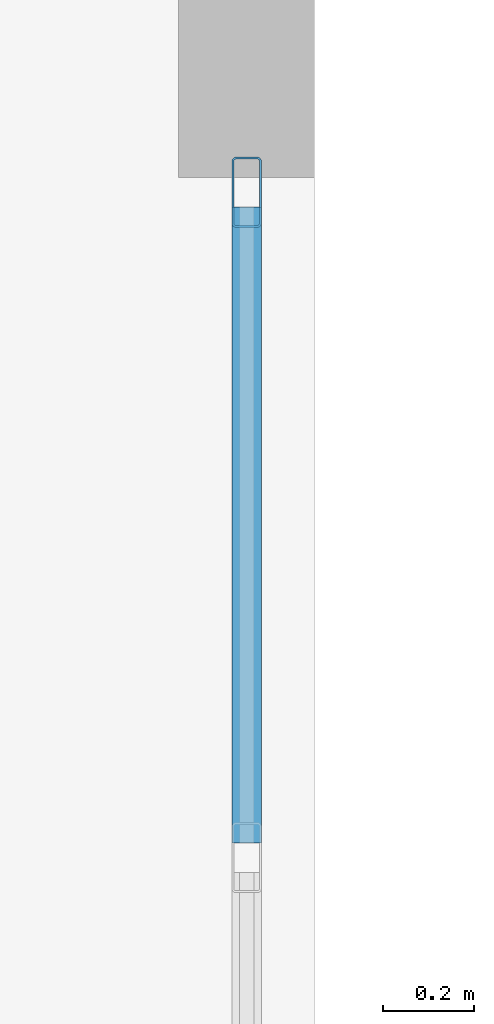
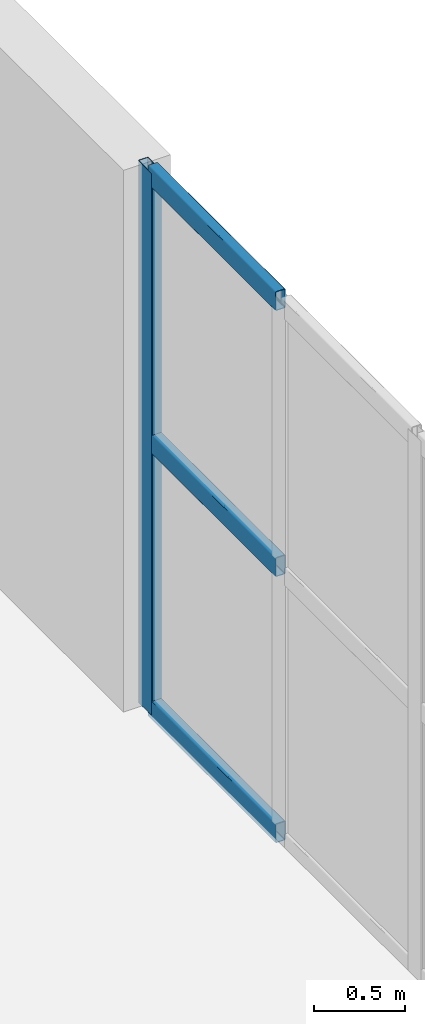
# One storey, part 4 of 9: 4 members, 1 element without a shape of its own.
"""IFC4 building model written with IfcOpenShell, lengths in metres."""

from ifc_helpers import new_model, entity, si_unit, converted_unit, direction, frame, origin_with_axes, origin_2d_with_axis, place, context, subcontext, project, spatial, hollow_rectangle, extrude, material, material_profile, profile_set, type_object, element, aggregate, save


model = new_model("IFC4")

# Units and contexts
model_context = context("Model", 3, precision=1e-05, world=origin_with_axes(), true_north=direction((0.0, 1.0)))
body_context = subcontext(model_context, "Body", "Model", "MODEL_VIEW")
ifc_project = project(units=[si_unit("LENGTHUNIT", "METRE"), si_unit("AREAUNIT", "SQUARE_METRE"), si_unit("VOLUMEUNIT", "CUBIC_METRE"), converted_unit("PLANEANGLEUNIT", "DEGREE", entity("IfcPlaneAngleMeasure", 0.017453292519943295), si_unit("PLANEANGLEUNIT", "RADIAN"), dimensions=[0, 0, 0, 0, 0, 0, 0]), si_unit("MASSUNIT", "GRAM", prefix="KILO"), si_unit("THERMODYNAMICTEMPERATUREUNIT", "KELVIN")], contexts=[model_context])

# Site, building, storey
site_placement = place(None, origin_with_axes())
site = spatial("IfcSite", under=ifc_project, at=site_placement, CompositionType="ELEMENT")
building_placement = place(site_placement, origin_with_axes())
building = spatial("IfcBuilding", under=site, at=building_placement, Name="Varnlund Millrace Tower", CompositionType="ELEMENT")
storey_placement = place(building_placement, frame((0.0, 0.0, 308.7), z_axis=(0.0, 0.0, 1.0), x_axis=(1.0, 0.0, 0.0)))
storey = spatial("IfcBuildingStorey", under=building, at=storey_placement, Name="L76", CompositionType="ELEMENT", Elevation=308.7)

# Curtain wall, members
ifc_material_1 = material(Name="Thermally broken architectural bronze curtain wall", Category="aluminium")
curtain_wall_type = type_object("IfcCurtainWallType", Name="Type-CW-Sys6-Observatory", PredefinedType="NOTDEFINED", material=ifc_material_1)
curtain_wall_placement = place(storey_placement, frame((32.25, 37.0, 0.0), z_axis=(0.0, 0.0, 1.0), x_axis=(1.0, 0.0, 0.0)))
curtain_wall = element("IfcCurtainWall", 1, at=curtain_wall_placement, inside=storey, type_object=curtain_wall_type, Name="Type-CW-Sys6-Observatory", PredefinedType="NOTDEFINED")
ifc_material_2 = material(Name="Architectural bronze aluminium alloy 6063-T6", Category="aluminium")
ifc_material_profile_1 = material_profile(ifc_material_2, hollow_rectangle(XDim=0.065, YDim=0.155, WallThickness=0.0045, InnerFilletRadius=0.004, OuterFilletRadius=0.009, at=origin_2d_with_axis()), Name="Architectural bronze aluminium alloy 6063-T6")
ifc_profile_set_1 = profile_set([ifc_material_profile_1], Name="Architectural bronze aluminium alloy 6063-T6")
member_type_1 = type_object("IfcMemberType", Name="Type-CW-Mullion-65X155", PredefinedType="MULLION", material=ifc_profile_set_1)
member_1_placement = place(storey_placement, frame((32.25, 36.9675, 0.0), z_axis=(0.0, 0.0, 1.0), x_axis=(1.0, 0.0, 0.0)))
member_1 = element("IfcMember", 2, at=member_1_placement, type_object=member_type_1, Name="CW-06 mullion 1", PredefinedType="MULLION", context=body_context, shape_type="SweptSolid", body=[
    extrude(hollow_rectangle(XDim=0.065, YDim=0.155, WallThickness=0.0045, InnerFilletRadius=0.004, OuterFilletRadius=0.009, at=origin_2d_with_axis()), origin_with_axes(), (0.0, 0.0, 1.0), 3.64),
])
ifc_material_profile_2 = material_profile(ifc_material_2, hollow_rectangle(XDim=0.065, YDim=0.13, WallThickness=0.0045, InnerFilletRadius=0.004, OuterFilletRadius=0.009, at=origin_2d_with_axis()), Name="Architectural bronze aluminium alloy 6063-T6")
ifc_profile_set_2 = profile_set([ifc_material_profile_2], Name="Architectural bronze aluminium alloy 6063-T6")
member_type_2 = type_object("IfcMemberType", Name="Type-CW-Transom-65X130", PredefinedType="USERDEFINED", material=ifc_profile_set_2)
member_2_placement = place(storey_placement, frame((32.25, 36.935, 0.0325), z_axis=(0.0, -1.0, 0.0), x_axis=(1.0, 0.0, 0.0)))
member_2 = element("IfcMember", 3, at=member_2_placement, type_object=member_type_2, Name="CW-06 transom 1.1", ObjectType="TRANSOM", PredefinedType="USERDEFINED", context=body_context, shape_type="SweptSolid", body=[
    extrude(hollow_rectangle(XDim=0.065, YDim=0.13, WallThickness=0.0045, InnerFilletRadius=0.004, OuterFilletRadius=0.009, at=origin_2d_with_axis()), origin_with_axes(), (0.0, 0.0, 1.0), 1.4025),
])
member_3_placement = place(storey_placement, frame((32.25, 36.935, 1.82), z_axis=(0.0, -1.0, 0.0), x_axis=(1.0, 0.0, 0.0)))
member_3 = element("IfcMember", 4, at=member_3_placement, type_object=member_type_2, Name="CW-06 transom 1.2", ObjectType="TRANSOM", PredefinedType="USERDEFINED", context=body_context, shape_type="SweptSolid", body=[
    extrude(hollow_rectangle(XDim=0.065, YDim=0.13, WallThickness=0.0045, InnerFilletRadius=0.004, OuterFilletRadius=0.009, at=origin_2d_with_axis()), origin_with_axes(), (0.0, 0.0, 1.0), 1.4025),
])
member_4_placement = place(storey_placement, frame((32.25, 36.935, 3.6075), z_axis=(0.0, -1.0, 0.0), x_axis=(1.0, 0.0, 0.0)))
member_4 = element("IfcMember", 5, at=member_4_placement, type_object=member_type_2, Name="CW-06 transom 1.3", ObjectType="TRANSOM", PredefinedType="USERDEFINED", context=body_context, shape_type="SweptSolid", body=[
    extrude(hollow_rectangle(XDim=0.065, YDim=0.13, WallThickness=0.0045, InnerFilletRadius=0.004, OuterFilletRadius=0.009, at=origin_2d_with_axis()), origin_with_axes(), (0.0, 0.0, 1.0), 1.4025),
])
aggregate(curtain_wall, [member_1, member_2, member_3, member_4])

save(model, "model.ifc")
